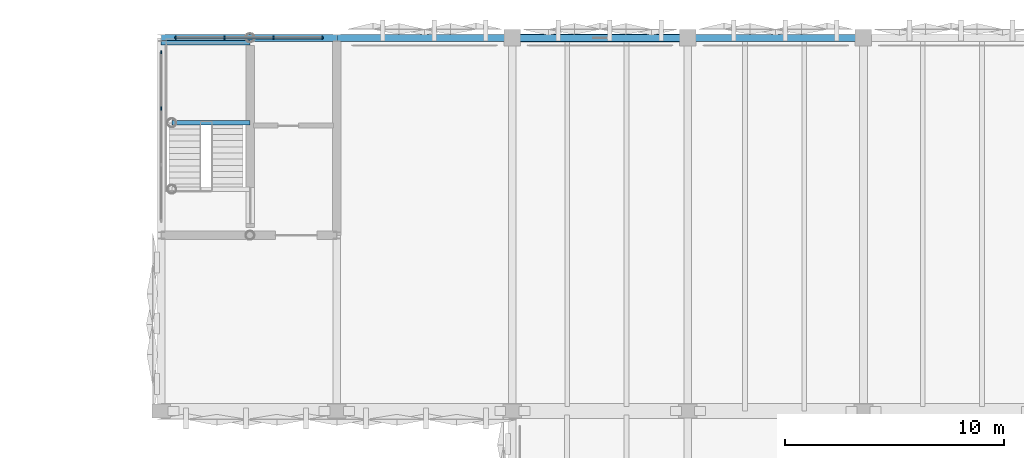
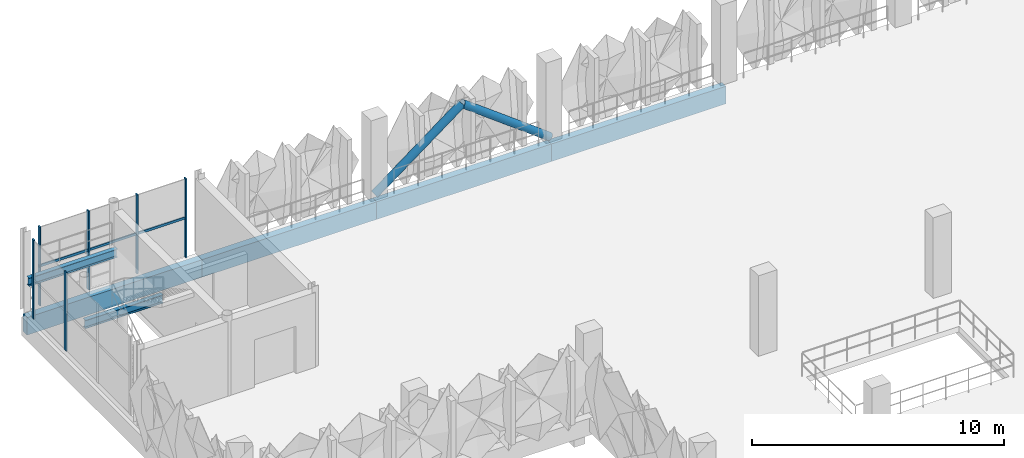
# One storey, part 27 of 76: 9 members, 6 beams, 2 elements without a shape of their own.
"""IFC4 building model written with IfcOpenShell, lengths in metres."""

from ifc_helpers import new_model, si_unit, derived_unit, direction, frame, origin, origin_2d, place, context, subcontext, project, spatial, rectangle, hollow_circle, i_section, extrude, material, layer, layer_set, material_profile, profile_set, type_object, element, aggregate, save


model = new_model("IFC4")

# Units and contexts
model_context = context("Model", 3, precision=1e-05, world=origin(), true_north=direction((0.0, 1.0)))
body_context = subcontext(model_context, "Body", "Model", "MODEL_VIEW")
ifc_project = project(units=[si_unit("LENGTHUNIT", "METRE"), si_unit("AREAUNIT", "SQUARE_METRE"), si_unit("VOLUMEUNIT", "CUBIC_METRE"), si_unit("PLANEANGLEUNIT", "RADIAN"), si_unit("MASSUNIT", "GRAM", prefix="KILO"), si_unit("THERMODYNAMICTEMPERATUREUNIT", "KELVIN"), derived_unit("THERMALTRANSMITTANCEUNIT", [(si_unit("POWERUNIT", "WATT"), 1), (si_unit("AREAUNIT", "SQUARE_METRE"), -1), (si_unit("THERMODYNAMICTEMPERATUREUNIT", "KELVIN"), -1)])], contexts=[model_context])

# Site, building, storey
site_placement = place(None, origin())
site = spatial("IfcSite", under=ifc_project, at=site_placement, CompositionType="ELEMENT")
building_placement = place(site_placement, origin())
building = spatial("IfcBuilding", under=site, at=building_placement, Name="Haiyu Intermodal Mobility Hub", CompositionType="ELEMENT")
storey_placement = place(building_placement, frame((0.0, 0.0, 17.300048828125)))
storey = spatial("IfcBuildingStorey", under=building, at=storey_placement, Name="L04", CompositionType="ELEMENT", Elevation=17.300048828125)

# Beams
ifc_material_1 = material(Name="Steel Q355C", Category="steel")
ifc_material_profile_1 = material_profile(ifc_material_1, i_section(OverallWidth=0.199951171875, OverallDepth=0.39990234375, WebThickness=0.008056640625, FlangeThickness=0.012939453125, FilletRadius=0.01611328125, at=origin_2d()), Name="HN400x200x8x13")
ifc_profile_set_1 = profile_set([ifc_material_profile_1], Name="Steel Q355C")
beam_type_1 = type_object("IfcBeamType", Name="BM-SB08", PredefinedType="JOIST", material=ifc_profile_set_1)
beam_1_placement = place(storey_placement, frame((22.47998046875, 144.1298828125, 1.52490234375), z_axis=(1.0, 0.0, 0.0), x_axis=(0.0, 1.0, 0.0)))
element("IfcBeam", 1, at=beam_1_placement, inside=storey, type_object=beam_type_1, Name="Stair Half-Landing Front Beam C3-L04", PredefinedType="JOIST", context=body_context, shape_type="SweptSolid", body=[
    extrude(i_section(OverallWidth=0.199951171875, OverallDepth=0.39990234375, WebThickness=0.008056640625, FlangeThickness=0.012939453125, FilletRadius=0.01611328125, at=origin_2d()), origin(), (0.0, 0.0, 1.0), 3.570068359375),
])
beam_2_placement = place(storey_placement, frame((22.0, 147.780029296875, 1.52490234375), z_axis=(1.0, 0.0, 0.0), x_axis=(0.0, 1.0, 0.0)))
element("IfcBeam", 2, at=beam_2_placement, inside=storey, type_object=beam_type_1, Name="Stair Half-Landing Rear Beam C3-L04", PredefinedType="JOIST", context=body_context, shape_type="SweptSolid", body=[
    extrude(i_section(OverallWidth=0.199951171875, OverallDepth=0.39990234375, WebThickness=0.008056640625, FlangeThickness=0.012939453125, FilletRadius=0.01611328125, at=origin_2d()), origin(), (0.0, 0.0, 1.0), 4.050048828125),
])
ifc_material_2 = material(Name="Precast concrete C40", Category="concrete")
ifc_material_profile_2 = material_profile(ifc_material_2, rectangle(XDim=0.320068359375, YDim=0.85009765625, at=origin_2d()), Name="PC320x850")
ifc_profile_set_2 = profile_set([ifc_material_profile_2], Name="Precast concrete C40")
beam_type_2 = type_object("IfcBeamType", Name="BM-SP02", PredefinedType="SPANDREL", material=ifc_profile_set_2)
for number, where, z_axis, x_axis, name in (
    (3, (22.0, 148.0, -0.699951171875), (1.0, 0.0, 0.0), (0.0, 1.0, 0.0), "BM-V4G-L04-041"),
    (4, (30.0, 148.0, -0.699951171875), (1.0, 0.0, 0.0), (0.0, 1.0, 0.0), "BM-V4G-L04-042"),
    (5, (38.0, 148.0, -0.699951171875), (1.0, 0.0, 0.0), (0.0, 1.0, 0.0), "BM-V4G-L04-043"),
    (6, (46.0, 148.0, -0.699951171875), (1.0, 0.0, 0.0), (0.0, 1.0, 0.0), "BM-V4G-L04-044"),
):
    element("IfcBeam", number, at=place(storey_placement, frame(where, z_axis=z_axis, x_axis=x_axis)), inside=storey, type_object=beam_type_2, Name=name, PredefinedType="SPANDREL", context=body_context, shape_type="SweptSolid", body=[
        extrude(rectangle(XDim=0.320068359375, YDim=0.85009765625, at=origin_2d()), origin(), (0.0, 0.0, 1.0), 8.0),
    ])

# Curtain wall, members
ifc_material_3 = material(Name="Low-e laminated insulating glass", Category="glass")
ifc_layer = layer(ifc_material_3, 0.199951171875)
ifc_layer_set = layer_set([ifc_layer], Name="Low-e laminated insulating glass")
curtain_wall_type = type_object("IfcCurtainWallType", Name="CW-CW03", PredefinedType="NOTDEFINED", material=ifc_layer_set)
curtain_wall_1_placement = place(storey_placement, origin())
curtain_wall_1 = element("IfcCurtainWall", 7, at=curtain_wall_1_placement, inside=storey, type_object=curtain_wall_type, Name="Curtain Wall CW-C3N-L04-057", PredefinedType="NOTDEFINED")
ifc_material_4 = material(Name="Anodised aluminium 6063-T6", Category="aluminium")
ifc_material_profile_3 = material_profile(ifc_material_4, rectangle(XDim=0.06005859375, YDim=0.14501953125, at=origin_2d()), Name="ALU60x145")
ifc_profile_set_3 = profile_set([ifc_material_profile_3], Name="Anodised aluminium 6063-T6")
member_type_1 = type_object("IfcMemberType", Name="CWM-ML03", PredefinedType="MULLION", material=ifc_profile_set_3)
member_1_placement = place(storey_placement, frame((29.340087890625, 148.0, 0.0), z_axis=(0.0, 0.0, 1.0), x_axis=(1.0, 0.0, 0.0)))
member_1 = element("IfcMember", 8, at=member_1_placement, type_object=member_type_1, Name="CW-C3N-L04-057-ML01", PredefinedType="MULLION", context=body_context, shape_type="SweptSolid", body=[
    extrude(rectangle(XDim=0.06005859375, YDim=0.14501953125, at=origin_2d()), origin(), (0.0, 0.0, 1.0), 3.820068359375),
])
member_2_placement = place(storey_placement, frame((27.113037109375, 148.0, 0.0), z_axis=(0.0, 0.0, 1.0), x_axis=(1.0, 0.0, 0.0)))
member_2 = element("IfcMember", 9, at=member_2_placement, type_object=member_type_1, Name="CW-C3N-L04-057-ML02", PredefinedType="MULLION", context=body_context, shape_type="SweptSolid", body=[
    extrude(rectangle(XDim=0.06005859375, YDim=0.14501953125, at=origin_2d()), origin(), (0.0, 0.0, 1.0), 3.820068359375),
])
member_3_placement = place(storey_placement, frame((24.886962890625, 148.0, 0.0), z_axis=(0.0, 0.0, 1.0), x_axis=(1.0, 0.0, 0.0)))
member_3 = element("IfcMember", 10, at=member_3_placement, type_object=member_type_1, Name="CW-C3N-L04-057-ML03", PredefinedType="MULLION", context=body_context, shape_type="SweptSolid", body=[
    extrude(rectangle(XDim=0.06005859375, YDim=0.14501953125, at=origin_2d()), origin(), (0.0, 0.0, 1.0), 3.820068359375),
])
member_4_placement = place(storey_placement, frame((22.659912109375, 148.0, 0.0), z_axis=(0.0, 0.0, 1.0), x_axis=(1.0, 0.0, 0.0)))
member_4 = element("IfcMember", 11, at=member_4_placement, type_object=member_type_1, Name="CW-C3N-L04-057-ML04", PredefinedType="MULLION", context=body_context, shape_type="SweptSolid", body=[
    extrude(rectangle(XDim=0.06005859375, YDim=0.14501953125, at=origin_2d()), origin(), (0.0, 0.0, 1.0), 3.820068359375),
])

curtain_wall_2_placement = place(storey_placement, origin())
curtain_wall_2 = element("IfcCurtainWall", 12, at=curtain_wall_2_placement, inside=storey, type_object=curtain_wall_type, Name="Curtain Wall CW-C3S-L04-058", PredefinedType="NOTDEFINED")
member_5_placement = place(storey_placement, frame((22.0, 147.340087890625, 0.0), z_axis=(0.0, 0.0, 1.0), x_axis=(1.0, 0.0, 0.0)))
member_5 = element("IfcMember", 13, at=member_5_placement, type_object=member_type_1, Name="CW-C3S-L04-058-ML01", PredefinedType="MULLION", context=body_context, shape_type="SweptSolid", body=[
    extrude(rectangle(XDim=0.06005859375, YDim=0.14501953125, at=origin_2d()), origin(), (0.0, 0.0, 1.0), 3.820068359375),
])
member_6_placement = place(storey_placement, frame((22.0, 144.780029296875, 0.0), z_axis=(0.0, 0.0, 1.0), x_axis=(1.0, 0.0, 0.0)))
member_6 = element("IfcMember", 14, at=member_6_placement, type_object=member_type_1, Name="CW-C3S-L04-058-ML02", PredefinedType="MULLION", context=body_context, shape_type="SweptSolid", body=[
    extrude(rectangle(XDim=0.06005859375, YDim=0.14501953125, at=origin_2d()), origin(), (0.0, 0.0, 1.0), 3.820068359375),
])
aggregate(curtain_wall_2, [member_5, member_6])

# Member
ifc_material_profile_4 = material_profile(ifc_material_4, rectangle(XDim=0.06005859375, YDim=0.114990234375, at=origin_2d()), Name="ALU60x115")
ifc_profile_set_4 = profile_set([ifc_material_profile_4], Name="Anodised aluminium 6063-T6")
member_type_2 = type_object("IfcMemberType", Name="CWM-TR03", PredefinedType="USERDEFINED", material=ifc_profile_set_4)
member_7_placement = place(storey_placement, frame((29.3798828125, 148.0, 1.909912109375), z_axis=(-1.0, 0.0, 0.0), x_axis=(0.0, -1.0, 0.0)))
member_7 = element("IfcMember", 15, at=member_7_placement, type_object=member_type_2, Name="CW-C3N-L04-057-TR01", ObjectType="TRANSOM", PredefinedType="USERDEFINED", context=body_context, shape_type="SweptSolid", body=[
    extrude(rectangle(XDim=0.06005859375, YDim=0.114990234375, at=origin_2d()), origin(), (0.0, 0.0, 1.0), 6.759765625),
])

aggregate(curtain_wall_1, [member_1, member_2, member_3, member_4, member_7])

# Members
ifc_material_profile_5 = material_profile(ifc_material_1, hollow_circle(Radius=0.177978515625, WallThickness=0.011962890625, at=origin_2d()), Name="CHS356x12")
ifc_profile_set_5 = profile_set([ifc_material_profile_5], Name="Steel Q355C")
member_type_3 = type_object("IfcMemberType", Name="MEM-BR01", PredefinedType="BRACE", material=ifc_profile_set_5)
for number, where, z_axis, x_axis, name in (
    (16, (38.0, 148.0, 0.0), (0.8, 0.0, 0.6), (0.0, 1.0, 0.0), "Seismic Chevron Brace B1-L04-A"),
    (17, (46.0, 148.0, 0.0), (-0.8, 0.0, 0.6), (0.0, -1.0, 0.0), "Seismic Chevron Brace B1-L04-B"),
):
    element("IfcMember", number, at=place(storey_placement, frame(where, z_axis=z_axis, x_axis=x_axis)), inside=storey, type_object=member_type_3, Name=name, PredefinedType="BRACE", context=body_context, shape_type="SweptSolid", body=[
        extrude(hollow_circle(Radius=0.177978515625, WallThickness=0.011962890625, at=origin_2d()), origin(), (0.0, 0.0, 1.0), 5.0),
    ])

save(model, "model.ifc")
